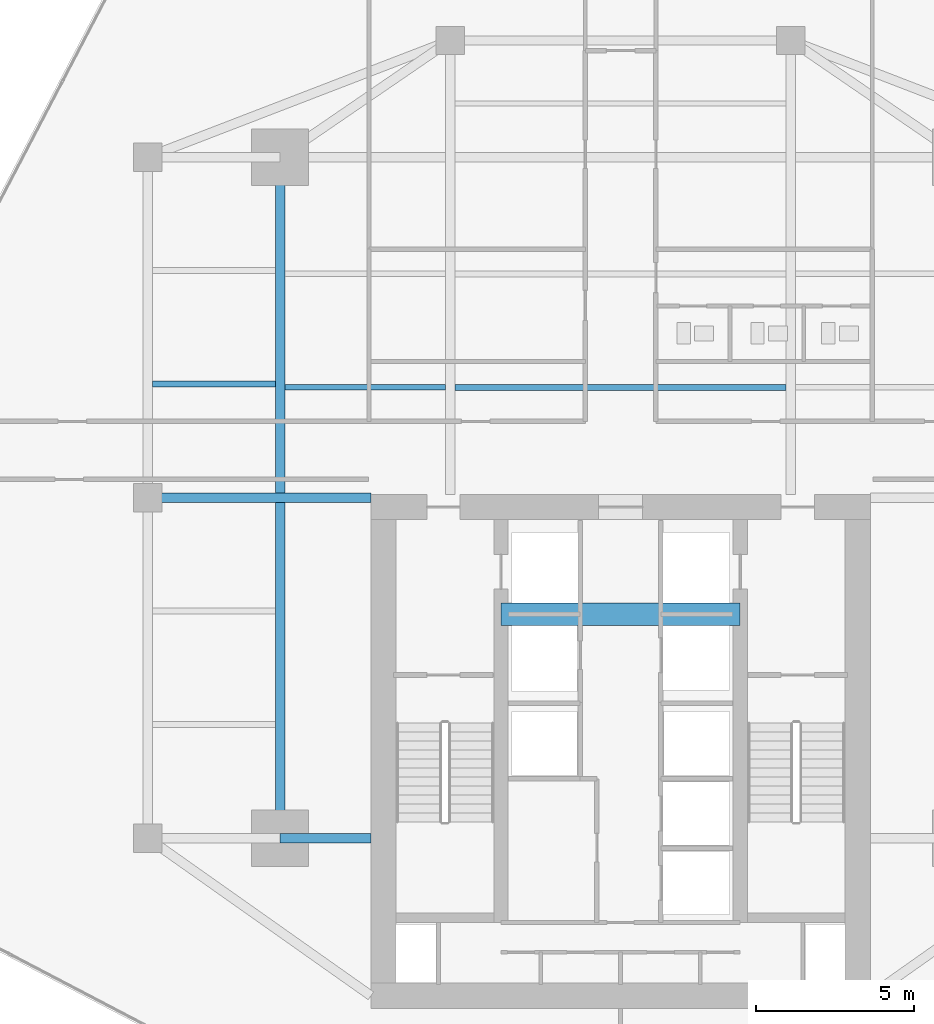
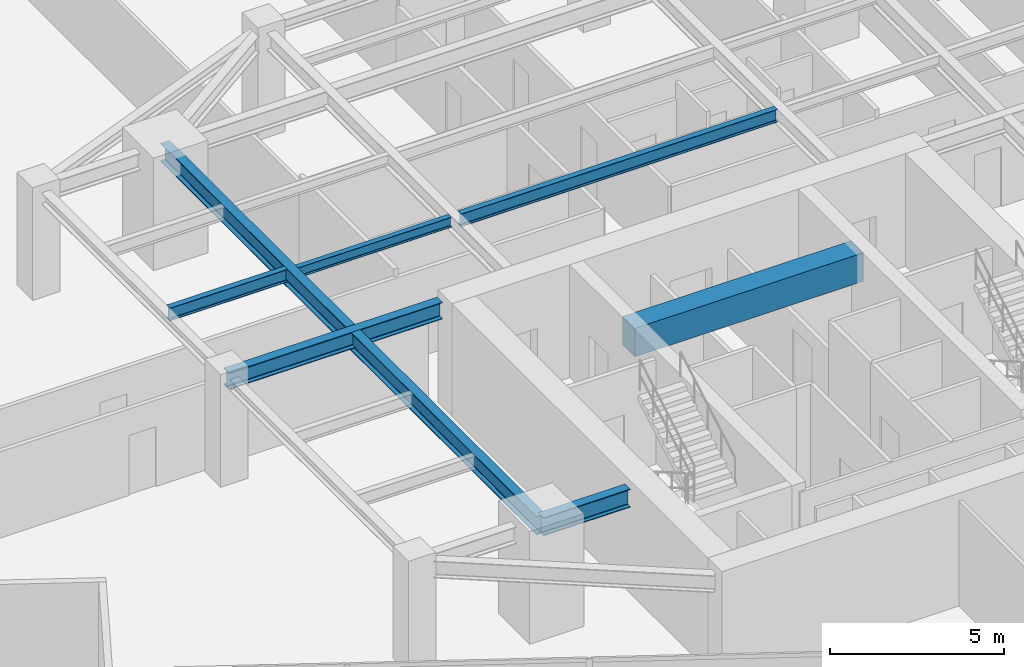
# One storey, part 8 of 27: 7 beams.
"""IFC4 building model written with IfcOpenShell, lengths in metres."""

from ifc_helpers import new_model, si_unit, direction, frame, origin, origin_2d, place, context, subcontext, project, spatial, rectangle, i_section, extrude, source, transform, mapped, material, material_profile, profile_set, type_object, type_shapes, element, save


model = new_model("IFC4")

# Units and contexts
model_context = context("Model", 3, precision=1e-05, world=origin(), true_north=direction((0.0, 1.0)))
body_context = subcontext(model_context, "Body", "Model", "MODEL_VIEW")
ifc_project = project(units=[si_unit("LENGTHUNIT", "METRE"), si_unit("AREAUNIT", "SQUARE_METRE"), si_unit("VOLUMEUNIT", "CUBIC_METRE"), si_unit("PLANEANGLEUNIT", "RADIAN"), si_unit("MASSUNIT", "GRAM", prefix="KILO")], contexts=[model_context])

# Site, building, storey
site_placement = place(None, origin())
site = spatial("IfcSite", under=ifc_project, at=site_placement, CompositionType="ELEMENT")
building_placement = place(site_placement, origin())
building = spatial("IfcBuilding", under=site, at=building_placement, Name="Krantzveldt Concourse Tower", CompositionType="ELEMENT")
storey_placement = place(building_placement, frame((0.0, 0.0, 158.050048828125)))
storey = spatial("IfcBuildingStorey", under=building, at=storey_placement, Name="L38", CompositionType="ELEMENT", Elevation=158.050048828125)

# Beams
ifc_material_1 = material(Name="Steel S355JR", Category="steel")
ifc_material_profile_1 = material_profile(ifc_material_1, i_section(OverallWidth=0.300048828125, OverallDepth=0.639892578125, WebThickness=0.013427734375, FlangeThickness=0.02587890625, FilletRadius=0.027099609375, at=origin_2d()), Name="Steel S355JR", Category="steel")
ifc_profile_set_1 = profile_set([ifc_material_profile_1], Name="Steel S355JR - HEA 650")
beam_type_1 = type_object("IfcBeamType", Name="BM-B-HEA650", PredefinedType="BEAM", material=ifc_profile_set_1)
shared_shape_1 = source(origin(), body_context, "Body", "SweptSolid", [
    extrude(i_section(OverallWidth=0.300048828125, OverallDepth=0.639892578125, WebThickness=0.013427734375, FlangeThickness=0.02587890625, FilletRadius=0.027099609375, at=origin_2d()), origin(), (0.0, 0.0, 1.0), 21.60009765625),
])
beam_1_placement = place(storey_placement, frame((25.199951171875, 15.89990234375, 3.349853515625), z_axis=(0.0, 1.0, 0.0), x_axis=(-1.0, 0.0, 0.0)))
element("IfcBeam", 1, at=beam_1_placement, inside=storey, type_object=beam_type_1, Name="L38 Tower Girder BG-MW", PredefinedType="BEAM", context=body_context, shape_type="MappedRepresentation", body=[
    mapped(shared_shape_1, transform((0.0, 0.0, 0.0), x_axis=(1.0, 0.0, 0.0), y_axis=(0.0, 1.0, 0.0), z_axis=(0.0, 0.0, 1.0), scale=1.0)),
])
ifc_material_profile_2 = material_profile(ifc_material_1, i_section(OverallWidth=0.300048828125, OverallDepth=0.590087890625, WebThickness=0.012939453125, FlangeThickness=0.02490234375, FilletRadius=0.027099609375, at=origin_2d()), Name="Steel S355JR", Category="steel")
ifc_profile_set_2 = profile_set([ifc_material_profile_2], Name="Steel S355JR - HEA 600")
beam_type_2 = type_object("IfcBeamType", Name="BM-B-HEA600", PredefinedType="BEAM", material=ifc_profile_set_2)
shared_shape_2 = source(origin(), body_context, "Body", "SweptSolid", [
    extrude(i_section(OverallWidth=0.300048828125, OverallDepth=0.590087890625, WebThickness=0.012939453125, FlangeThickness=0.02490234375, FilletRadius=0.027099609375, at=origin_2d()), origin(), (0.0, 0.0, 1.0), 7.080078125),
])
type_shapes(beam_type_2, [shared_shape_2])
beam_2_placement = place(storey_placement, frame((21.0, 26.699951171875, 3.375), z_axis=(1.0, 0.0, 0.0), x_axis=(0.0, 1.0, 0.0)))
element("IfcBeam", 2, at=beam_2_placement, inside=storey, type_object=beam_type_2, Name="L38 Tower Girder BG-CW2", PredefinedType="BEAM", context=body_context, shape_type="MappedRepresentation", body=[
    mapped(shared_shape_2, transform((0.0, 0.0, 0.0), x_axis=(1.0, 0.0, 0.0), y_axis=(0.0, 1.0, 0.0), z_axis=(0.0, 0.0, 1.0), scale=1.0)),
])
ifc_material_profile_3 = material_profile(ifc_material_1, i_section(OverallWidth=0.18994140625, OverallDepth=0.449951171875, WebThickness=0.009521484375, FlangeThickness=0.0146484375, FilletRadius=0.02099609375, at=origin_2d()), Name="Steel S355JR", Category="steel")
ifc_profile_set_3 = profile_set([ifc_material_profile_3], Name="Steel S355JR - IPE 450")
beam_type_3 = type_object("IfcBeamType", Name="BM-J-IPE450", PredefinedType="JOIST", material=ifc_profile_set_3)
shared_shape_3 = source(origin(), body_context, "Body", "SweptSolid", [
    extrude(i_section(OverallWidth=0.18994140625, OverallDepth=0.449951171875, WebThickness=0.009521484375, FlangeThickness=0.0146484375, FilletRadius=0.02099609375, at=origin_2d()), origin(), (0.0, 0.0, 1.0), 10.5),
])
beam_3_placement = place(storey_placement, frame((30.75, 30.199951171875, 3.445068359375), z_axis=(1.0, 0.0, 0.0), x_axis=(0.0, 1.0, 0.0)))
element("IfcBeam", 3, at=beam_3_placement, inside=storey, type_object=beam_type_3, Name="L38 Secondary Floor Joist JN-C1", PredefinedType="JOIST", context=body_context, shape_type="MappedRepresentation", body=[
    mapped(shared_shape_3, transform((0.0, 0.0, 0.0), x_axis=(1.0, 0.0, 0.0), y_axis=(0.0, 1.0, 0.0), z_axis=(0.0, 0.0, 1.0), scale=1.0)),
])
ifc_material_2 = material(Name="Concrete C50/60", Category="concrete")
ifc_material_profile_4 = material_profile(ifc_material_2, rectangle(XDim=0.699951171875, YDim=1.0, at=origin_2d()), Name="Concrete C50/60", Category="concrete")
ifc_profile_set_4 = profile_set([ifc_material_profile_4], Name="Concrete C50/60 - RC-CB 700x1000")
beam_type_4 = type_object("IfcBeamType", Name="BM-CB-1000", PredefinedType="LINTEL", material=ifc_profile_set_4)
shared_shape_4 = source(origin(), body_context, "Body", "SweptSolid", [
    extrude(rectangle(XDim=0.699951171875, YDim=1.0, at=origin_2d()), origin(), (0.0, 0.0, 1.0), 7.580078125),
])
type_shapes(beam_type_4, [shared_shape_4])
beam_4_placement = place(storey_placement, frame((32.2099609375, 23.0, 3.169921875), z_axis=(1.0, 0.0, 0.0), x_axis=(0.0, 1.0, 0.0)))
element("IfcBeam", 4, at=beam_4_placement, inside=storey, type_object=beam_type_4, Name="CB-L38-01", PredefinedType="LINTEL", context=body_context, shape_type="MappedRepresentation", body=[
    mapped(shared_shape_4, transform((0.0, 0.0, 0.0), x_axis=(1.0, 0.0, 0.0), y_axis=(0.0, 1.0, 0.0), z_axis=(0.0, 0.0, 1.0), scale=1.0)),
])
shared_shape_5 = source(origin(), body_context, "Body", "SweptSolid", [
    extrude(i_section(OverallWidth=0.300048828125, OverallDepth=0.639892578125, WebThickness=0.013427734375, FlangeThickness=0.02587890625, FilletRadius=0.027099609375, at=origin_2d()), origin(), (0.0, 0.0, 1.0), 2.880126953125),
])
type_shapes(beam_type_1, [shared_shape_1, shared_shape_5])
beam_5_placement = place(storey_placement, frame((25.199951171875, 15.89990234375, 3.349853515625), z_axis=(1.0, 0.0, 0.0), x_axis=(0.0, 1.0, 0.0)))
element("IfcBeam", 5, at=beam_5_placement, inside=storey, type_object=beam_type_1, Name="L38 Tower Girder BG-CW1", PredefinedType="BEAM", context=body_context, shape_type="MappedRepresentation", body=[
    mapped(shared_shape_5, transform((0.0, 0.0, 0.0), x_axis=(1.0, 0.0, 0.0), y_axis=(0.0, 1.0, 0.0), z_axis=(0.0, 0.0, 1.0), scale=1.0)),
])
ifc_material_profile_5 = material_profile(ifc_material_1, i_section(OverallWidth=0.169921875, OverallDepth=0.360107421875, WebThickness=0.008056640625, FlangeThickness=0.0126953125, FilletRadius=0.01806640625, at=origin_2d()), Name="Steel S355JR", Category="steel")
ifc_profile_set_5 = profile_set([ifc_material_profile_5], Name="Steel S355JR - IPE 360")
beam_type_5 = type_object("IfcBeamType", Name="BM-J-IPE360", PredefinedType="JOIST", material=ifc_profile_set_5)
shared_shape_6 = source(origin(), body_context, "Body", "SweptSolid", [
    extrude(i_section(OverallWidth=0.169921875, OverallDepth=0.360107421875, WebThickness=0.008056640625, FlangeThickness=0.0126953125, FilletRadius=0.01806640625, at=origin_2d()), origin(), (0.0, 0.0, 1.0), 5.099853515625),
])
type_shapes(beam_type_5, [shared_shape_6])
beam_6_placement = place(storey_placement, frame((25.35009765625, 30.199951171875, 3.489990234375), z_axis=(1.0, 0.0, 0.0), x_axis=(0.0, 1.0, 0.0)))
element("IfcBeam", 6, at=beam_6_placement, inside=storey, type_object=beam_type_5, Name="L38 Secondary Floor Joist JN-W1", PredefinedType="JOIST", context=body_context, shape_type="MappedRepresentation", body=[
    mapped(shared_shape_6, transform((0.0, 0.0, 0.0), x_axis=(1.0, 0.0, 0.0), y_axis=(0.0, 1.0, 0.0), z_axis=(0.0, 0.0, 1.0), scale=1.0)),
])
shared_shape_7 = source(origin(), body_context, "Body", "SweptSolid", [
    extrude(i_section(OverallWidth=0.18994140625, OverallDepth=0.449951171875, WebThickness=0.009521484375, FlangeThickness=0.0146484375, FilletRadius=0.02099609375, at=origin_2d()), origin(), (0.0, 0.0, 1.0), 3.900146484375),
])
type_shapes(beam_type_3, [shared_shape_3, shared_shape_7])
beam_7_placement = place(storey_placement, frame((21.14990234375, 30.300048828125, 3.445068359375), z_axis=(1.0, 0.0, 0.0), x_axis=(0.0, 1.0, 0.0)))
element("IfcBeam", 7, at=beam_7_placement, inside=storey, type_object=beam_type_3, Name="L38 Secondary Floor Joist JW-3", PredefinedType="JOIST", context=body_context, shape_type="MappedRepresentation", body=[
    mapped(shared_shape_7, transform((0.0, 0.0, 0.0), x_axis=(1.0, 0.0, 0.0), y_axis=(0.0, 1.0, 0.0), z_axis=(0.0, 0.0, 1.0), scale=1.0)),
])

save(model, "model.ifc")
